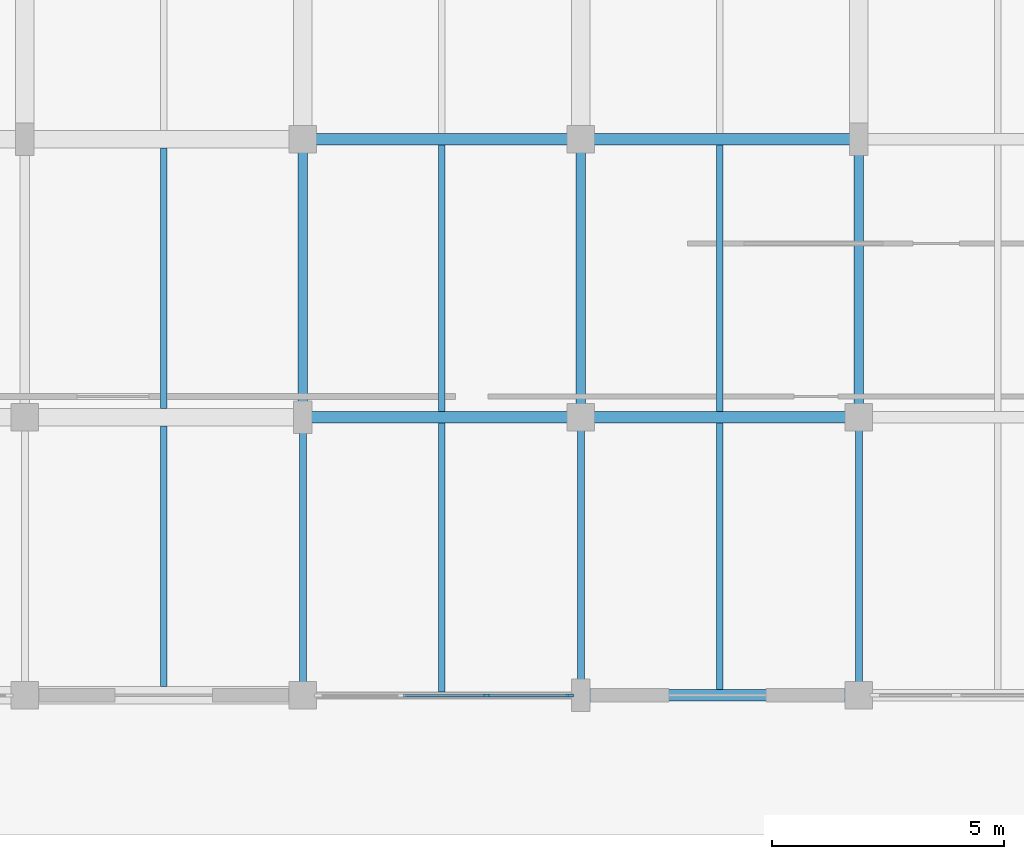
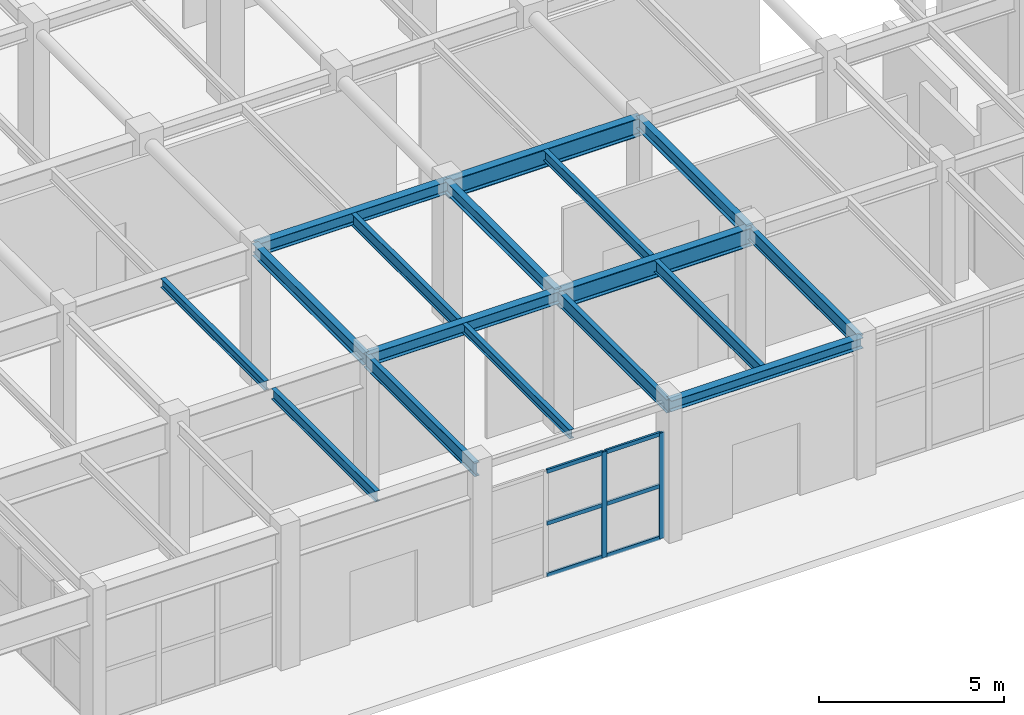
# One storey, part 4 of 76: 17 beams, 8 members, 1 element without a shape of its own.
"""IFC4 building model written with IfcOpenShell, lengths in metres."""

from ifc_helpers import new_model, si_unit, direction, frame, origin, origin_2d, place, context, subcontext, project, spatial, rectangle, i_section, extrude, material, material_profile, profile_set, type_object, element, aggregate, save


model = new_model("IFC4")

# Units and contexts
model_context = context("Model", 3, precision=1e-05, world=origin(), true_north=direction((0.0, 1.0)))
body_context = subcontext(model_context, "Body", "Model", "MODEL_VIEW")
ifc_project = project(units=[si_unit("LENGTHUNIT", "METRE"), si_unit("AREAUNIT", "SQUARE_METRE"), si_unit("VOLUMEUNIT", "CUBIC_METRE"), si_unit("PLANEANGLEUNIT", "RADIAN"), si_unit("MASSUNIT", "GRAM", prefix="KILO")], contexts=[model_context])

# Site, building, storey
site_placement = place(None, origin())
site = spatial("IfcSite", under=ifc_project, at=site_placement, CompositionType="ELEMENT")
building_placement = place(site_placement, origin())
building = spatial("IfcBuilding", under=site, at=building_placement, Name="Varnakota Square Police Headquarters", CompositionType="ELEMENT")
storey_placement = place(building_placement, origin())
storey = spatial("IfcBuildingStorey", under=building, at=storey_placement, Name="L00", CompositionType="ELEMENT", Elevation=0.0)

# Beams
ifc_material_1 = material(Name="Steel IS 2062 Grade 350", Category="steel")
ifc_material_profile_1 = material_profile(ifc_material_1, i_section(OverallWidth=0.25, OverallDepth=0.35009765625, WebThickness=0.010009765625, FlangeThickness=0.01171875, FilletRadius=0.011962890625, at=origin_2d()), Name="ISHB 350")
ifc_profile_set_1 = profile_set([ifc_material_profile_1], Name="Steel IS 2062 Grade 350")
beam_type_1 = type_object("IfcBeamType", Name="BM-ISHB350", PredefinedType="BEAM", material=ifc_profile_set_1)
beam_1_placement = place(storey_placement, frame((30.0, 3.0, 4.324951171875), z_axis=(1.0, 0.0, 0.0), x_axis=(0.0, 1.0, 0.0)))
element("IfcBeam", 1, at=beam_1_placement, inside=storey, type_object=beam_type_1, Name="BMG-L00-0694", PredefinedType="BEAM", context=body_context, shape_type="SweptSolid", body=[
    extrude(i_section(OverallWidth=0.25, OverallDepth=0.35009765625, WebThickness=0.010009765625, FlangeThickness=0.01171875, FilletRadius=0.011962890625, at=origin_2d()), origin(), (0.0, 0.0, 1.0), 6.0),
])
ifc_material_profile_2 = material_profile(ifc_material_1, i_section(OverallWidth=0.25, OverallDepth=0.39990234375, WebThickness=0.010498046875, FlangeThickness=0.0126953125, FilletRadius=0.013916015625, at=origin_2d()), Name="ISHB 400")
ifc_profile_set_2 = profile_set([ifc_material_profile_2], Name="Steel IS 2062 Grade 350")
beam_type_2 = type_object("IfcBeamType", Name="BM-ISHB400", PredefinedType="BEAM", material=ifc_profile_set_2)
for number, where, z_axis, x_axis, name in (
    (2, (24.0, 9.0, 4.300048828125), (1.0, 0.0, 0.0), (0.0, 1.0, 0.0), "BMG-L00-0706"),
    (3, (24.0, 15.0, 4.300048828125), (1.0, 0.0, 0.0), (0.0, 1.0, 0.0), "BMG-L00-0726"),
):
    element("IfcBeam", number, at=place(storey_placement, frame(where, z_axis=z_axis, x_axis=x_axis)), inside=storey, type_object=beam_type_2, Name=name, PredefinedType="BEAM", context=body_context, shape_type="SweptSolid", body=[
        extrude(i_section(OverallWidth=0.25, OverallDepth=0.39990234375, WebThickness=0.010498046875, FlangeThickness=0.0126953125, FilletRadius=0.013916015625, at=origin_2d()), origin(), (0.0, 0.0, 1.0), 6.0),
    ])
ifc_material_profile_3 = material_profile(ifc_material_1, i_section(OverallWidth=0.139892578125, OverallDepth=0.300048828125, WebThickness=0.0078125, FlangeThickness=0.01318359375, FilletRadius=0.013916015625, at=origin_2d()), Name="ISMB 300")
ifc_profile_set_3 = profile_set([ifc_material_profile_3], Name="Steel IS 2062 Grade 350")
beam_type_3 = type_object("IfcBeamType", Name="BM-ISMB300", PredefinedType="JOIST", material=ifc_profile_set_3)
beam_2_placement = place(storey_placement, frame((21.0, 9.18798828125, 4.35009765625), z_axis=(0.0, 1.0, 0.0), x_axis=(-1.0, 0.0, 0.0)))
element("IfcBeam", 4, at=beam_2_placement, inside=storey, type_object=beam_type_3, Name="BMG-L00-1199", PredefinedType="JOIST", context=body_context, shape_type="SweptSolid", body=[
    extrude(i_section(OverallWidth=0.139892578125, OverallDepth=0.300048828125, WebThickness=0.0078125, FlangeThickness=0.01318359375, FilletRadius=0.013916015625, at=origin_2d()), origin(), (0.0, 0.0, 1.0), 5.6240234375),
])
beam_3_placement = place(storey_placement, frame((27.0, 3.072998046875, 4.35009765625), z_axis=(0.0, 1.0, 0.0), x_axis=(-1.0, 0.0, 0.0)))
element("IfcBeam", 5, at=beam_3_placement, inside=storey, type_object=beam_type_3, Name="BMG-L00-1205", PredefinedType="JOIST", context=body_context, shape_type="SweptSolid", body=[
    extrude(i_section(OverallWidth=0.139892578125, OverallDepth=0.300048828125, WebThickness=0.0078125, FlangeThickness=0.01318359375, FilletRadius=0.013916015625, at=origin_2d()), origin(), (0.0, 0.0, 1.0), 5.803955078125),
])
ifc_material_profile_4 = material_profile(ifc_material_1, i_section(OverallWidth=0.139892578125, OverallDepth=0.35009765625, WebThickness=0.008056640625, FlangeThickness=0.01416015625, FilletRadius=0.013916015625, at=origin_2d()), Name="ISMB 350")
ifc_profile_set_4 = profile_set([ifc_material_profile_4], Name="Steel IS 2062 Grade 350")
beam_type_4 = type_object("IfcBeamType", Name="BM-ISMB350", PredefinedType="JOIST", material=ifc_profile_set_4)
beam_4_placement = place(storey_placement, frame((21.0, 3.18798828125, 4.324951171875), z_axis=(0.0, 1.0, 0.0), x_axis=(-1.0, 0.0, 0.0)))
element("IfcBeam", 6, at=beam_4_placement, inside=storey, type_object=beam_type_4, Name="BMG-L00-1198", PredefinedType="JOIST", context=body_context, shape_type="SweptSolid", body=[
    extrude(i_section(OverallWidth=0.139892578125, OverallDepth=0.35009765625, WebThickness=0.008056640625, FlangeThickness=0.01416015625, FilletRadius=0.013916015625, at=origin_2d()), origin(), (0.0, 0.0, 1.0), 5.6240234375),
])
beam_5_placement = place(storey_placement, frame((33.0, 9.123046875, 4.324951171875), z_axis=(0.0, 1.0, 0.0), x_axis=(-1.0, 0.0, 0.0)))
element("IfcBeam", 7, at=beam_5_placement, inside=storey, type_object=beam_type_4, Name="BMG-L00-1214", PredefinedType="JOIST", context=body_context, shape_type="SweptSolid", body=[
    extrude(i_section(OverallWidth=0.139892578125, OverallDepth=0.35009765625, WebThickness=0.008056640625, FlangeThickness=0.01416015625, FilletRadius=0.013916015625, at=origin_2d()), origin(), (0.0, 0.0, 1.0), 5.75390625),
])
ifc_material_profile_5 = material_profile(ifc_material_1, i_section(OverallWidth=0.139892578125, OverallDepth=0.39990234375, WebThickness=0.0087890625, FlangeThickness=0.01611328125, FilletRadius=0.013916015625, at=origin_2d()), Name="ISMB 400")
ifc_profile_set_5 = profile_set([ifc_material_profile_5], Name="Steel IS 2062 Grade 350")
beam_type_5 = type_object("IfcBeamType", Name="BM-ISMB400", PredefinedType="JOIST", material=ifc_profile_set_5)
for number, where, z_axis, x_axis, name in (
    (8, (27.0, 9.123046875, 4.300048828125), (0.0, 1.0, 0.0), (-1.0, 0.0, 0.0), "BMG-L00-1206"),
    (9, (33.0, 3.123046875, 4.300048828125), (0.0, 1.0, 0.0), (-1.0, 0.0, 0.0), "BMG-L00-1213"),
):
    element("IfcBeam", number, at=place(storey_placement, frame(where, z_axis=z_axis, x_axis=x_axis)), inside=storey, type_object=beam_type_5, Name=name, PredefinedType="JOIST", context=body_context, shape_type="SweptSolid", body=[
        extrude(i_section(OverallWidth=0.139892578125, OverallDepth=0.39990234375, WebThickness=0.0087890625, FlangeThickness=0.01611328125, FilletRadius=0.013916015625, at=origin_2d()), origin(), (0.0, 0.0, 1.0), 5.75390625),
    ])
ifc_material_profile_6 = material_profile(ifc_material_1, i_section(OverallWidth=0.14990234375, OverallDepth=0.449951171875, WebThickness=0.009521484375, FlangeThickness=0.017333984375, FilletRadius=0.014892578125, at=origin_2d()), Name="ISMB 450")
ifc_profile_set_6 = profile_set([ifc_material_profile_6], Name="Steel IS 2062 Grade 350")
beam_type_6 = type_object("IfcBeamType", Name="BM-ISMB450", PredefinedType="BEAM", material=ifc_profile_set_6)
for number, where, z_axis, x_axis, name in (
    (10, (24.0, 3.0, 4.27490234375), (0.0, 1.0, 0.0), (-1.0, 0.0, 0.0), "BMG-L00-0976"),
    (11, (30.0, 3.0, 4.27490234375), (0.0, 1.0, 0.0), (-1.0, 0.0, 0.0), "BMG-L00-0984"),
    (12, (36.0, 3.0, 4.27490234375), (0.0, 1.0, 0.0), (-1.0, 0.0, 0.0), "BMG-L00-0998"),
):
    element("IfcBeam", number, at=place(storey_placement, frame(where, z_axis=z_axis, x_axis=x_axis)), inside=storey, type_object=beam_type_6, Name=name, PredefinedType="BEAM", context=body_context, shape_type="SweptSolid", body=[
        extrude(i_section(OverallWidth=0.14990234375, OverallDepth=0.449951171875, WebThickness=0.009521484375, FlangeThickness=0.017333984375, FilletRadius=0.014892578125, at=origin_2d()), origin(), (0.0, 0.0, 1.0), 6.0),
    ])
ifc_material_profile_7 = material_profile(ifc_material_1, i_section(OverallWidth=0.199951171875, OverallDepth=0.39990234375, WebThickness=0.008544921875, FlangeThickness=0.012939453125, FilletRadius=0.012939453125, at=origin_2d()), Name="ISWB 400")
ifc_profile_set_7 = profile_set([ifc_material_profile_7], Name="Steel IS 2062 Grade 350")
beam_type_7 = type_object("IfcBeamType", Name="BM-ISWB400", PredefinedType="BEAM", material=ifc_profile_set_7)
for number, where, z_axis, x_axis, name in (
    (13, (24.0, 9.0, 4.300048828125), (0.0, 1.0, 0.0), (-1.0, 0.0, 0.0), "BMG-L00-0977"),
    (14, (30.0, 9.0, 4.300048828125), (0.0, 1.0, 0.0), (-1.0, 0.0, 0.0), "BMG-L00-0985"),
    (15, (36.0, 9.0, 4.300048828125), (0.0, 1.0, 0.0), (-1.0, 0.0, 0.0), "BMG-L00-0999"),
):
    element("IfcBeam", number, at=place(storey_placement, frame(where, z_axis=z_axis, x_axis=x_axis)), inside=storey, type_object=beam_type_7, Name=name, PredefinedType="BEAM", context=body_context, shape_type="SweptSolid", body=[
        extrude(i_section(OverallWidth=0.199951171875, OverallDepth=0.39990234375, WebThickness=0.008544921875, FlangeThickness=0.012939453125, FilletRadius=0.012939453125, at=origin_2d()), origin(), (0.0, 0.0, 1.0), 6.0),
    ])
ifc_material_profile_8 = material_profile(ifc_material_1, i_section(OverallWidth=0.25, OverallDepth=0.60009765625, WebThickness=0.01171875, FlangeThickness=0.023681640625, FilletRadius=0.01708984375, at=origin_2d()), Name="ISWB 600")
ifc_profile_set_8 = profile_set([ifc_material_profile_8], Name="Steel IS 2062 Grade 350")
beam_type_8 = type_object("IfcBeamType", Name="BM-ISWB600", PredefinedType="BEAM", material=ifc_profile_set_8)
for number, where, z_axis, x_axis, name in (
    (16, (30.0, 9.0, 4.199951171875), (1.0, 0.0, 0.0), (0.0, 1.0, 0.0), "BMG-L00-0707"),
    (17, (30.0, 15.0, 4.199951171875), (1.0, 0.0, 0.0), (0.0, 1.0, 0.0), "BMG-L00-0727"),
):
    element("IfcBeam", number, at=place(storey_placement, frame(where, z_axis=z_axis, x_axis=x_axis)), inside=storey, type_object=beam_type_8, Name=name, PredefinedType="BEAM", context=body_context, shape_type="SweptSolid", body=[
        extrude(i_section(OverallWidth=0.25, OverallDepth=0.60009765625, WebThickness=0.01171875, FlangeThickness=0.023681640625, FilletRadius=0.01708984375, at=origin_2d()), origin(), (0.0, 0.0, 1.0), 6.0),
    ])

# Curtain wall, members
ifc_material_2 = material(Name="Anodised Aluminium Framing", Category="aluminium")
curtain_wall_type = type_object("IfcCurtainWallType", Name="CW-SYS-A", PredefinedType="NOTDEFINED", material=ifc_material_2)
curtain_wall_placement = place(storey_placement, origin())
curtain_wall = element("IfcCurtainWall", 18, at=curtain_wall_placement, inside=storey, type_object=curtain_wall_type, Name="Unitised curtain wall CWG-L00-036", PredefinedType="NOTDEFINED")
ifc_material_3 = material(Name="Anodised Aluminium 6063-T6", Category="aluminium")
ifc_material_profile_9 = material_profile(ifc_material_3, rectangle(XDim=0.06494140625, YDim=0.159912109375, at=origin_2d()), Name="ALU MULLION 65x160")
ifc_profile_set_9 = profile_set([ifc_material_profile_9], Name="Anodised Aluminium 6063-T6")
member_type_1 = type_object("IfcMemberType", Name="CWM-150", PredefinedType="MULLION", material=ifc_profile_set_9)
member_1_placement = place(storey_placement, frame((27.965087890625, 3.0, 0.0), z_axis=(0.0, 0.0, 1.0), x_axis=(0.0, 1.0, 0.0)))
member_1 = element("IfcMember", 19, at=member_1_placement, type_object=member_type_1, Name="CWG-L00-036 mullion 3", PredefinedType="MULLION", context=body_context, shape_type="SweptSolid", body=[
    extrude(rectangle(XDim=0.06494140625, YDim=0.159912109375, at=origin_2d()), origin(), (0.0, 0.0, 1.0), 3.489990234375),
])
member_2_placement = place(storey_placement, frame((29.762451171875, 3.0, 0.0), z_axis=(0.0, 0.0, 1.0), x_axis=(0.0, 1.0, 0.0)))
member_2 = element("IfcMember", 20, at=member_2_placement, type_object=member_type_1, Name="CWG-L00-036 mullion 4", PredefinedType="MULLION", context=body_context, shape_type="SweptSolid", body=[
    extrude(rectangle(XDim=0.06494140625, YDim=0.159912109375, at=origin_2d()), origin(), (0.0, 0.0, 1.0), 3.489990234375),
])
ifc_material_profile_10 = material_profile(ifc_material_3, rectangle(XDim=0.06494140625, YDim=0.1298828125, at=origin_2d()), Name="ALU TRANSOM 65x130")
ifc_profile_set_10 = profile_set([ifc_material_profile_10], Name="Anodised Aluminium 6063-T6")
member_type_2 = type_object("IfcMemberType", Name="CWT-120", PredefinedType="USERDEFINED", material=ifc_profile_set_10)
member_3_placement = place(storey_placement, frame((26.16748046875, 3.0, 0.032470703125), z_axis=(1.0, 0.0, 0.0), x_axis=(0.0, 1.0, 0.0)))
member_3 = element("IfcMember", 21, at=member_3_placement, type_object=member_type_2, Name="CWG-L00-036 transom 2.1", ObjectType="TRANSOM", PredefinedType="USERDEFINED", context=body_context, shape_type="SweptSolid", body=[
    extrude(rectangle(XDim=0.06494140625, YDim=0.1298828125, at=origin_2d()), origin(), (0.0, 0.0, 1.0), 1.76513671875),
])
member_4_placement = place(storey_placement, frame((26.16748046875, 3.0, 1.7451171875), z_axis=(1.0, 0.0, 0.0), x_axis=(0.0, 1.0, 0.0)))
member_4 = element("IfcMember", 22, at=member_4_placement, type_object=member_type_2, Name="CWG-L00-036 transom 2.2", ObjectType="TRANSOM", PredefinedType="USERDEFINED", context=body_context, shape_type="SweptSolid", body=[
    extrude(rectangle(XDim=0.06494140625, YDim=0.1298828125, at=origin_2d()), origin(), (0.0, 0.0, 1.0), 1.76513671875),
])
member_5_placement = place(storey_placement, frame((26.16748046875, 3.0, 3.45751953125), z_axis=(1.0, 0.0, 0.0), x_axis=(0.0, 1.0, 0.0)))
member_5 = element("IfcMember", 23, at=member_5_placement, type_object=member_type_2, Name="CWG-L00-036 transom 2.3", ObjectType="TRANSOM", PredefinedType="USERDEFINED", context=body_context, shape_type="SweptSolid", body=[
    extrude(rectangle(XDim=0.06494140625, YDim=0.1298828125, at=origin_2d()), origin(), (0.0, 0.0, 1.0), 1.76513671875),
])
member_6_placement = place(storey_placement, frame((27.99755859375, 3.0, 0.032470703125), z_axis=(1.0, 0.0, 0.0), x_axis=(0.0, 1.0, 0.0)))
member_6 = element("IfcMember", 24, at=member_6_placement, type_object=member_type_2, Name="CWG-L00-036 transom 3.1", ObjectType="TRANSOM", PredefinedType="USERDEFINED", context=body_context, shape_type="SweptSolid", body=[
    extrude(rectangle(XDim=0.06494140625, YDim=0.1298828125, at=origin_2d()), origin(), (0.0, 0.0, 1.0), 1.732421875),
])
member_7_placement = place(storey_placement, frame((27.99755859375, 3.0, 1.7451171875), z_axis=(1.0, 0.0, 0.0), x_axis=(0.0, 1.0, 0.0)))
member_7 = element("IfcMember", 25, at=member_7_placement, type_object=member_type_2, Name="CWG-L00-036 transom 3.2", ObjectType="TRANSOM", PredefinedType="USERDEFINED", context=body_context, shape_type="SweptSolid", body=[
    extrude(rectangle(XDim=0.06494140625, YDim=0.1298828125, at=origin_2d()), origin(), (0.0, 0.0, 1.0), 1.732421875),
])
member_8_placement = place(storey_placement, frame((27.99755859375, 3.0, 3.45751953125), z_axis=(1.0, 0.0, 0.0), x_axis=(0.0, 1.0, 0.0)))
member_8 = element("IfcMember", 26, at=member_8_placement, type_object=member_type_2, Name="CWG-L00-036 transom 3.3", ObjectType="TRANSOM", PredefinedType="USERDEFINED", context=body_context, shape_type="SweptSolid", body=[
    extrude(rectangle(XDim=0.06494140625, YDim=0.1298828125, at=origin_2d()), origin(), (0.0, 0.0, 1.0), 1.732421875),
])
aggregate(curtain_wall, [member_1, member_2, member_3, member_4, member_5, member_6, member_7, member_8])

save(model, "model.ifc")
